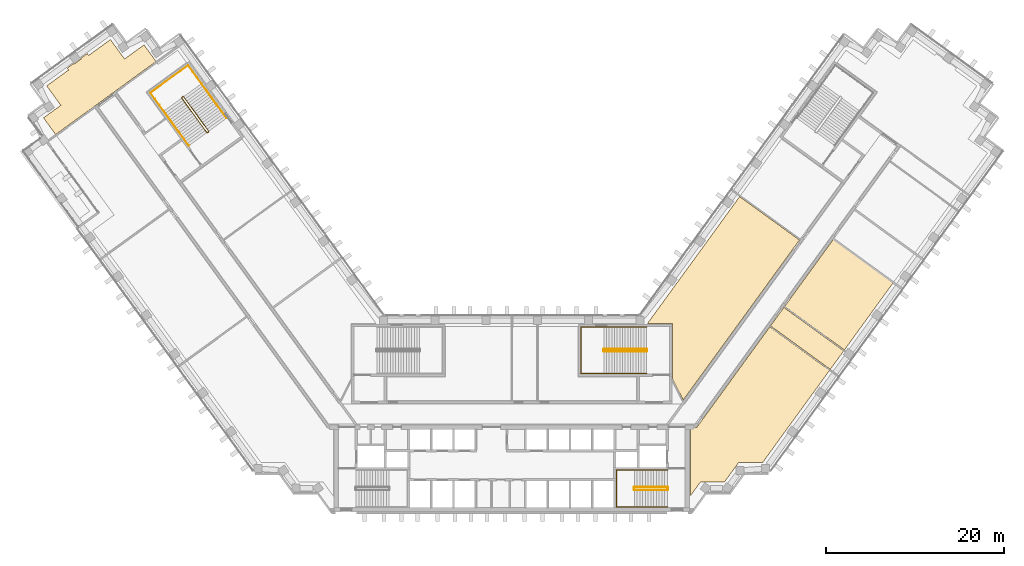
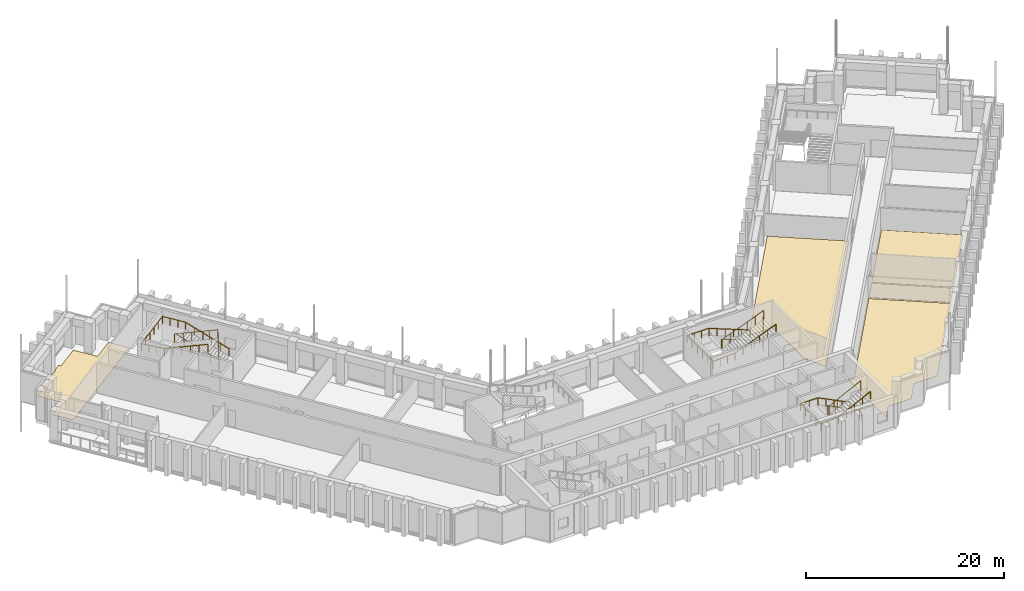
# One storey, part 18 of 19: 6 railings, 5 coverings.
"""IFC4 building model written with IfcOpenShell, lengths in metres."""

from ifc_helpers import new_model, si_unit, direction, frame, origin, origin_2d, place, context, subcontext, project, spatial, polyline, circle, outline, extrude, material, layer, layer_set, type_object, element, save


model = new_model("IFC4")

# Units and contexts
model_context = context("Model", 3, precision=1e-05, world=origin(), true_north=direction((0.0, 1.0)))
body_context = subcontext(model_context, "Body", "Model", "MODEL_VIEW")
ifc_project = project(units=[si_unit("LENGTHUNIT", "METRE"), si_unit("AREAUNIT", "SQUARE_METRE"), si_unit("VOLUMEUNIT", "CUBIC_METRE"), si_unit("PLANEANGLEUNIT", "RADIAN"), si_unit("MASSUNIT", "GRAM", prefix="KILO")], contexts=[model_context])

# Site, building, storey
site_placement = place(None, origin())
site = spatial("IfcSite", under=ifc_project, at=site_placement, CompositionType="ELEMENT")
building_placement = place(site_placement, origin())
building = spatial("IfcBuilding", under=site, at=building_placement, Name="Quipu Civic Tower", CompositionType="ELEMENT")
storey_placement = place(building_placement, frame((0.0, 0.0, 35.0)))
storey = spatial("IfcBuildingStorey", under=building, at=storey_placement, Name="L07", CompositionType="ELEMENT", Elevation=35.0)

# Coverings
ifc_material_1 = material(Name="Carpet tile on raised access floor")
ifc_layer_1 = layer(ifc_material_1, 0.02001953125)
ifc_layer_set_1 = layer_set([ifc_layer_1], Name="Carpet tile on raised access floor")
covering_type_1 = type_object("IfcCoveringType", Name="Carpet tile floor finish 20", PredefinedType="FLOORING", material=ifc_layer_set_1)
covering_1_placement = place(storey_placement, origin())
element("IfcCovering", 1, at=covering_1_placement, inside=storey, type_object=covering_type_1, Name="Carpet tile floor finish 20", PredefinedType="FLOORING", context=body_context, shape_type="SweptSolid", body=[
    extrude(outline(polyline([(20.070068359375, -9.195068359375), (20.070068359375, -1.52001953125), (20.77490234375, -1.51904296875), (29.0029296875, 9.805908203125), (35.72607421875, 4.922119140625), (28.181884765625, -5.4609375), (25.48193359375, -5.4619140625), (25.2080078125, -5.840087890625), (25.205078125, -5.841064453125), (25.200927734375, -5.843017578125), (25.197021484375, -5.844970703125), (25.193115234375, -5.847900390625), (25.18896484375, -5.85205078125), (25.18603515625, -5.85498046875), (25.18310546875, -5.85888671875), (25.179931640625, -5.863037109375), (25.177978515625, -5.867919921875), (25.177001953125, -5.8720703125), (25.175048828125, -5.876953125), (25.175048828125, -5.882080078125), (25.174072265625, -5.885986328125), (23.89501953125, -7.64599609375), (21.721923828125, -7.64599609375), (21.721923828125, -7.64599609375), (21.718017578125, -7.64306640625), (21.712890625, -7.64111328125), (21.708984375, -7.638916015625), (21.7041015625, -7.637939453125), (21.698974609375, -7.636962890625), (21.694091796875, -7.635986328125), (21.68896484375, -7.636962890625), (21.68408203125, -7.636962890625), (21.679931640625, -7.637939453125), (21.675048828125, -7.639892578125), (21.669921875, -7.64111328125), (21.666015625, -7.64404296875), (21.6630859375, -7.64599609375), (21.196044921875, -7.64599609375), (20.070068359375, -9.195068359375)])), origin(), (0.0, 0.0, 1.0), 0.02001953125),
])
covering_2_placement = place(storey_placement, origin())
element("IfcCovering", 2, at=covering_2_placement, inside=storey, type_object=covering_type_1, Name="Carpet tile floor finish 20", PredefinedType="FLOORING", context=body_context, shape_type="SweptSolid", body=[
    extrude(outline(polyline([(30.673095703125, 12.10302734375), (36.14404296875, 19.635009765625), (42.867919921875, 14.751953125), (37.39599609375, 7.218994140625), (30.673095703125, 12.10302734375)])), origin(), (0.0, 0.0, 1.0), 0.02001953125),
])
covering_3_placement = place(storey_placement, origin())
element("IfcCovering", 3, at=covering_3_placement, inside=storey, type_object=covering_type_1, Name="Carpet tile floor finish 20", PredefinedType="FLOORING", context=body_context, shape_type="SweptSolid", body=[
    extrude(outline(polyline([(-52.639892578125, 33.305908203125), (-50.698974609375, 34.717041015625), (-52.284912109375, 36.90087890625), (-49.826904296875, 38.68603515625), (-49.97900390625, 38.89697265625), (-49.259033203125, 39.4208984375), (-49.236083984375, 39.388916015625), (-49.23291015625, 39.385009765625), (-49.22900390625, 39.382080078125), (-49.22607421875, 39.3779296875), (-49.220947265625, 39.3759765625), (-49.217041015625, 39.373046875), (-49.212890625, 39.37109375), (-49.2080078125, 39.3701171875), (-49.202880859375, 39.368896484375), (-49.197998046875, 39.367919921875), (-49.193115234375, 39.367919921875), (-49.18896484375, 39.368896484375), (-49.18408203125, 39.3701171875), (-49.178955078125, 39.37109375), (-49.174072265625, 39.373046875), (-49.169921875, 39.375), (-49.166015625, 39.3779296875), (-48.43798828125, 39.906982421875), (-48.43408203125, 39.909912109375), (-48.430908203125, 39.9130859375), (-48.427001953125, 39.9169921875), (-48.425048828125, 39.9208984375), (-48.422119140625, 39.926025390625), (-48.419921875, 39.929931640625), (-48.4189453125, 39.93505859375), (-48.41796875, 39.93994140625), (-48.4169921875, 39.944091796875), (-48.4169921875, 39.948974609375), (-48.41796875, 39.9541015625), (-48.4189453125, 39.958984375), (-48.419921875, 39.964111328125), (-48.422119140625, 39.968017578125), (-48.424072265625, 39.972900390625), (-48.427001953125, 39.97705078125), (-48.449951171875, 40.008056640625), (-47.72900390625, 40.531982421875), (-47.574951171875, 40.322021484375), (-45.116943359375, 42.10791015625), (-43.531982421875, 39.925048828125), (-41.346923828125, 41.510986328125), (-39.989013671875, 39.64208984375), (-51.282958984375, 31.43701171875), (-52.639892578125, 33.305908203125)])), origin(), (0.0, 0.0, 1.0), 0.02001953125),
])
covering_4_placement = place(storey_placement, origin())
element("IfcCovering", 4, at=covering_4_placement, inside=storey, type_object=covering_type_1, Name="Carpet tile floor finish 20", PredefinedType="FLOORING", context=body_context, shape_type="SweptSolid", body=[
    extrude(outline(polyline([(15.238037109375, 10.169921875), (25.615966796875, 24.4541015625), (32.339111328125, 19.570068359375), (19.27197265625, 1.583984375), (18.070068359375, 3.94189453125), (18.070068359375, 10.1689453125), (15.238037109375, 10.169921875)])), origin(), (0.0, 0.0, 1.0), 0.02001953125),
])
ifc_material_2 = material(Name="Ceramic floor tile")
ifc_layer_2 = layer(ifc_material_2, 0.030029296875)
ifc_layer_set_2 = layer_set([ifc_layer_2], Name="Ceramic floor tile")
covering_type_2 = type_object("IfcCoveringType", Name="Ceramic tile floor finish 30", PredefinedType="FLOORING", material=ifc_layer_set_2)
covering_5_placement = place(storey_placement, origin())
element("IfcCovering", 5, at=covering_5_placement, inside=storey, type_object=covering_type_2, Name="Ceramic tile floor finish 30", PredefinedType="FLOORING", context=body_context, shape_type="SweptSolid", body=[
    extrude(outline(polyline([(29.0859375, 9.9189453125), (30.590087890625, 11.989990234375), (37.31298828125, 7.10595703125), (35.80908203125, 5.034912109375), (29.0859375, 9.9189453125)])), origin(), (0.0, 0.0, 1.0), 0.030029296875),
])

# Railings
ifc_material_3 = material(Name="Stainless steel", Category="steel")
railing_type_1 = type_object("IfcRailingType", Name="Stair guard 1100", PredefinedType="GUARDRAIL", material=ifc_material_3)
railing_1_placement = place(storey_placement, frame((17.5, -8.199951171875, 0.15380859375)))
element("IfcRailing", 6, at=railing_1_placement, inside=storey, type_object=railing_type_1, Name="Stair 2 guard", PredefinedType="GUARDRAIL", context=body_context, shape_type="SweptSolid", body=[
    extrude(circle(Radius=0.02392578125, at=origin_2d()), frame((0.0, 0.0, 1.076171875), z_axis=(-0.895751851347, 0.0, 0.444554407028), x_axis=(0.0, -1.0, 0.0)), (0.0, 0.0, 1.0), 4.15283203125),
    extrude(circle(Radius=0.02392578125, at=origin_2d()), frame((-3.719970703125, 0.0, 2.92236328125), z_axis=(-0.707106781187, -0.707106781187, 0.0), x_axis=(0.707106781187, -0.707106781187, 0.0)), (0.0, 0.0, 1.0), 0.07080078125),
    extrude(circle(Radius=0.02392578125, at=origin_2d()), frame((-3.77001953125, -0.050048828125, 2.92236328125), z_axis=(0.0, -1.0, 0.0), x_axis=(1.0, 0.0, 0.0)), (0.0, 0.0, 1.0), 0.25),
    extrude(circle(Radius=0.02392578125, at=origin_2d()), frame((-3.77001953125, -0.300048828125, 2.92236328125), z_axis=(0.295599637079, -0.295599637079, 0.908428152975), x_axis=(0.707106781187, 0.707106781187, 0.0)), (0.0, 0.0, 1.0), 0.16943359375),
    extrude(circle(Radius=0.02392578125, at=origin_2d()), frame((-3.719970703125, -0.35009765625, 3.076171875), z_axis=(0.895751851347, 0.0, 0.444554407028), x_axis=(0.0, 1.0, 0.0)), (0.0, 0.0, 1.0), 4.15283203125),
    extrude(circle(Radius=0.02392578125, at=origin_2d()), frame((0.0, -0.35009765625, 4.92236328125), z_axis=(0.012476181752, 0.074796231092, -0.997120789425), x_axis=(-0.986372223864, 0.164529134168, 0.0)), (0.0, 0.0, 1.0), 4.011474609375),
    extrude(circle(Radius=0.02392578125, at=origin_2d()), frame((0.050048828125, -0.050048828125, 0.92236328125), z_axis=(0.0, -1.0, 0.0), x_axis=(1.0, 0.0, 0.0)), (0.0, 0.0, 1.0), 0.25),
    extrude(circle(Radius=0.02099609375, at=origin_2d()), origin(), (0.0, 0.0, 1.0), 1.052001953125),
    extrude(circle(Radius=0.02099609375, at=origin_2d()), frame((-0.929931640625, 0.0, 0.46142578125)), (0.0, 0.0, 1.0), 1.052001953125),
    extrude(circle(Radius=0.02099609375, at=origin_2d()), frame((-1.85986328125, 0.0, 0.923095703125)), (0.0, 0.0, 1.0), 1.052001953125),
    extrude(circle(Radius=0.02099609375, at=origin_2d()), frame((-2.7900390625, 0.0, 1.384765625)), (0.0, 0.0, 1.0), 1.052001953125),
    extrude(circle(Radius=0.02099609375, at=origin_2d()), frame((-3.719970703125, 0.0, 1.84619140625)), (0.0, 0.0, 1.0), 1.052001953125),
    extrude(circle(Radius=0.02099609375, at=origin_2d()), frame((-3.77001953125, -0.050048828125, 1.84619140625)), (0.0, 0.0, 1.0), 1.052001953125),
    extrude(circle(Radius=0.02099609375, at=origin_2d()), frame((-3.77001953125, -0.300048828125, 1.84619140625)), (0.0, 0.0, 1.0), 1.052001953125),
    extrude(circle(Radius=0.02099609375, at=origin_2d()), frame((-3.719970703125, -0.35009765625, 2.0)), (0.0, 0.0, 1.0), 1.052001953125),
    extrude(circle(Radius=0.02099609375, at=origin_2d()), frame((-2.7900390625, -0.35009765625, 2.46142578125)), (0.0, 0.0, 1.0), 1.052001953125),
    extrude(circle(Radius=0.02099609375, at=origin_2d()), frame((-1.85986328125, -0.35009765625, 2.923095703125)), (0.0, 0.0, 1.0), 1.052001953125),
    extrude(circle(Radius=0.02099609375, at=origin_2d()), frame((-0.929931640625, -0.35009765625, 3.384765625)), (0.0, 0.0, 1.0), 1.052001953125),
    extrude(circle(Radius=0.02099609375, at=origin_2d()), frame((0.0, -0.35009765625, 3.84619140625)), (0.0, 0.0, 1.0), 1.052001953125),
    extrude(circle(Radius=0.02099609375, at=origin_2d()), frame((0.012451171875, -0.275146484375, 2.84619140625)), (0.0, 0.0, 1.0), 1.052001953125),
    extrude(circle(Radius=0.02099609375, at=origin_2d()), frame((0.02490234375, -0.2001953125, 1.84619140625)), (0.0, 0.0, 1.0), 1.052001953125),
    extrude(circle(Radius=0.02099609375, at=origin_2d()), frame((0.03759765625, -0.125, 0.84619140625)), (0.0, 0.0, 1.0), 1.052001953125),
    extrude(circle(Radius=0.02099609375, at=origin_2d()), frame((0.050048828125, -0.050048828125, -0.15380859375)), (0.0, 0.0, 1.0), 1.052001953125),
    extrude(circle(Radius=0.02099609375, at=origin_2d()), frame((0.050048828125, -0.300048828125, -0.15380859375)), (0.0, 0.0, 1.0), 1.052001953125),
])
railing_2_placement = place(storey_placement, frame((15.14990234375, 7.300048828125, 0.11767578125)))
element("IfcRailing", 7, at=railing_2_placement, inside=storey, type_object=railing_type_1, Name="Stair 4 guard", PredefinedType="GUARDRAIL", context=body_context, shape_type="SweptSolid", body=[
    extrude(circle(Radius=0.02392578125, at=origin_2d()), frame((0.0, 0.0, 1.076171875), z_axis=(-0.930970042603, 0.0, 0.365095576219), x_axis=(0.0, -1.0, 0.0)), (0.0, 0.0, 1.0), 5.15576171875),
    extrude(circle(Radius=0.02392578125, at=origin_2d()), frame((-4.7998046875, 0.0, 2.95849609375), z_axis=(-0.707106781187, -0.707106781187, 0.0), x_axis=(0.707106781187, -0.707106781187, 0.0)), (0.0, 0.0, 1.0), 0.07080078125),
    extrude(circle(Radius=0.02392578125, at=origin_2d()), frame((-4.849853515625, -0.050048828125, 2.95849609375), z_axis=(0.0, -1.0, 0.0), x_axis=(1.0, 0.0, 0.0)), (0.0, 0.0, 1.0), 0.14990234375),
    extrude(circle(Radius=0.02392578125, at=origin_2d()), frame((-4.849853515625, -0.199951171875, 2.95849609375), z_axis=(0.364463019033, -0.364463019033, 0.856932561824), x_axis=(0.707106781187, 0.707106781187, 0.0)), (0.0, 0.0, 1.0), 0.13720703125),
    extrude(circle(Radius=0.02392578125, at=origin_2d()), frame((-4.7998046875, -0.25, 3.076171875), z_axis=(0.930970042603, 0.0, 0.365095576219), x_axis=(0.0, 1.0, 0.0)), (0.0, 0.0, 1.0), 5.15576171875),
    extrude(circle(Radius=0.02392578125, at=origin_2d()), frame((0.0, -0.25, 4.95849609375), z_axis=(0.012495627992, 0.049921557685, -0.998674970829), x_axis=(-0.970072785993, 0.242814311512, 0.0)), (0.0, 0.0, 1.0), 4.00537109375),
    extrude(circle(Radius=0.02392578125, at=origin_2d()), frame((0.050048828125, -0.050048828125, 0.95849609375), z_axis=(0.0, -1.0, 0.0), x_axis=(1.0, 0.0, 0.0)), (0.0, 0.0, 1.0), 0.14990234375),
    extrude(circle(Radius=0.02099609375, at=origin_2d()), origin(), (0.0, 0.0, 1.0), 1.052001953125),
    extrude(circle(Radius=0.02099609375, at=origin_2d()), frame((-0.9599609375, 0.0, 0.37646484375)), (0.0, 0.0, 1.0), 1.052001953125),
    extrude(circle(Radius=0.02099609375, at=origin_2d()), frame((-1.919921875, 0.0, 0.7529296875)), (0.0, 0.0, 1.0), 1.052001953125),
    extrude(circle(Radius=0.02099609375, at=origin_2d()), frame((-2.8798828125, 0.0, 1.12939453125)), (0.0, 0.0, 1.0), 1.052001953125),
    extrude(circle(Radius=0.02099609375, at=origin_2d()), frame((-3.83984375, 0.0, 1.505859375)), (0.0, 0.0, 1.0), 1.052001953125),
    extrude(circle(Radius=0.02099609375, at=origin_2d()), frame((-4.7998046875, 0.0, 1.88232421875)), (0.0, 0.0, 1.0), 1.052001953125),
    extrude(circle(Radius=0.02099609375, at=origin_2d()), frame((-4.849853515625, -0.050048828125, 1.88232421875)), (0.0, 0.0, 1.0), 1.052001953125),
    extrude(circle(Radius=0.02099609375, at=origin_2d()), frame((-4.849853515625, -0.199951171875, 1.88232421875)), (0.0, 0.0, 1.0), 1.052001953125),
    extrude(circle(Radius=0.02099609375, at=origin_2d()), frame((-4.7998046875, -0.25, 2.0)), (0.0, 0.0, 1.0), 1.052001953125),
    extrude(circle(Radius=0.02099609375, at=origin_2d()), frame((-3.83984375, -0.25, 2.37646484375)), (0.0, 0.0, 1.0), 1.052001953125),
    extrude(circle(Radius=0.02099609375, at=origin_2d()), frame((-2.8798828125, -0.25, 2.7529296875)), (0.0, 0.0, 1.0), 1.052001953125),
    extrude(circle(Radius=0.02099609375, at=origin_2d()), frame((-1.919921875, -0.25, 3.12939453125)), (0.0, 0.0, 1.0), 1.052001953125),
    extrude(circle(Radius=0.02099609375, at=origin_2d()), frame((-0.9599609375, -0.25, 3.505859375)), (0.0, 0.0, 1.0), 1.052001953125),
    extrude(circle(Radius=0.02099609375, at=origin_2d()), frame((0.0, -0.25, 3.88232421875)), (0.0, 0.0, 1.0), 1.052001953125),
    extrude(circle(Radius=0.02099609375, at=origin_2d()), frame((0.012451171875, -0.199951171875, 2.88232421875)), (0.0, 0.0, 1.0), 1.052001953125),
    extrude(circle(Radius=0.02099609375, at=origin_2d()), frame((0.02490234375, -0.14990234375, 1.88232421875)), (0.0, 0.0, 1.0), 1.052001953125),
    extrude(circle(Radius=0.02099609375, at=origin_2d()), frame((0.03759765625, -0.10009765625, 0.88232421875)), (0.0, 0.0, 1.0), 1.052001953125),
    extrude(circle(Radius=0.02099609375, at=origin_2d()), frame((0.050048828125, -0.050048828125, -0.11767578125)), (0.0, 0.0, 1.0), 1.052001953125),
    extrude(circle(Radius=0.02099609375, at=origin_2d()), frame((0.050048828125, -0.199951171875, -0.11767578125)), (0.0, 0.0, 1.0), 1.052001953125),
])
railing_3_placement = place(storey_placement, frame((-34.078857421875, 31.79736328125, 0.11767578125)))
element("IfcRailing", 8, at=railing_3_placement, inside=storey, type_object=railing_type_1, Name="Stair 6 guard", PredefinedType="GUARDRAIL", context=body_context, shape_type="SweptSolid", body=[
    extrude(circle(Radius=0.02392578125, at=origin_2d()), frame((0.0, 0.0, 1.076171875), z_axis=(-0.54720100349, 0.753182689643, 0.365084781664), x_axis=(-0.809026317077, -0.587772420479, 0.0)), (0.0, 0.0, 1.0), 5.15576171875),
    extrude(circle(Radius=0.02392578125, at=origin_2d()), frame((-2.8212890625, 3.88330078125, 2.95849609375), z_axis=(-0.987846838465, 0.155430446612, 0.0), x_axis=(-0.155430446612, -0.987846838465, 0.0)), (0.0, 0.0, 1.0), 0.07080078125),
    extrude(circle(Radius=0.02392578125, at=origin_2d()), frame((-2.89111328125, 3.894287109375, 2.95849609375), z_axis=(-0.809649071907, -0.586914287065, 0.0), x_axis=(0.586914287065, -0.809649071907, 0.0)), (0.0, 0.0, 1.0), 0.150146484375),
    extrude(circle(Radius=0.02392578125, at=origin_2d()), frame((-3.0126953125, 3.80615234375, 2.95849609375), z_axis=(-0.080033047627, -0.508654480474, 0.857242865693), x_axis=(0.987846838465, -0.155430446612, 0.0)), (0.0, 0.0, 1.0), 0.13720703125),
    extrude(circle(Radius=0.02392578125, at=origin_2d()), frame((-3.023681640625, 3.736328125, 3.076171875), z_axis=(0.54720100349, -0.753182689643, 0.365084781664), x_axis=(0.809026317077, 0.587772420479, 0.0)), (0.0, 0.0, 1.0), 5.15576171875),
    extrude(circle(Radius=0.02392578125, at=origin_2d()), frame((-0.202392578125, -0.14697265625, 4.95849609375), z_axis=(0.047788004556, 0.019261491632, -0.998671768681), x_axis=(-0.373837031195, 0.92749440651, 0.0)), (0.0, 0.0, 1.0), 4.00537109375),
    extrude(circle(Radius=0.02392578125, at=origin_2d()), frame((-0.010986328125, -0.06982421875, 0.95849609375), z_axis=(-0.809087927272, -0.587687609145, 0.0), x_axis=(0.587687609145, -0.809087927272, 0.0)), (0.0, 0.0, 1.0), 0.14990234375),
    extrude(circle(Radius=0.02099609375, at=origin_2d()), origin(), (0.0, 0.0, 1.0), 1.052001953125),
    extrude(circle(Radius=0.02099609375, at=origin_2d()), frame((-0.564208984375, 0.776611328125, 0.37646484375)), (0.0, 0.0, 1.0), 1.052001953125),
    extrude(circle(Radius=0.02099609375, at=origin_2d()), frame((-1.12841796875, 1.55322265625, 0.7529296875)), (0.0, 0.0, 1.0), 1.052001953125),
    extrude(circle(Radius=0.02099609375, at=origin_2d()), frame((-1.69287109375, 2.330078125, 1.12939453125)), (0.0, 0.0, 1.0), 1.052001953125),
    extrude(circle(Radius=0.02099609375, at=origin_2d()), frame((-2.257080078125, 3.106689453125, 1.505859375)), (0.0, 0.0, 1.0), 1.052001953125),
    extrude(circle(Radius=0.02099609375, at=origin_2d()), frame((-2.8212890625, 3.88330078125, 1.88232421875)), (0.0, 0.0, 1.0), 1.052001953125),
    extrude(circle(Radius=0.02099609375, at=origin_2d()), frame((-2.89111328125, 3.894287109375, 1.88232421875)), (0.0, 0.0, 1.0), 1.052001953125),
    extrude(circle(Radius=0.02099609375, at=origin_2d()), frame((-3.0126953125, 3.80615234375, 1.88232421875)), (0.0, 0.0, 1.0), 1.052001953125),
    extrude(circle(Radius=0.02099609375, at=origin_2d()), frame((-3.023681640625, 3.736328125, 2.0)), (0.0, 0.0, 1.0), 1.052001953125),
    extrude(circle(Radius=0.02099609375, at=origin_2d()), frame((-2.45947265625, 2.959716796875, 2.37646484375)), (0.0, 0.0, 1.0), 1.052001953125),
    extrude(circle(Radius=0.02099609375, at=origin_2d()), frame((-1.895263671875, 2.18310546875, 2.7529296875)), (0.0, 0.0, 1.0), 1.052001953125),
    extrude(circle(Radius=0.02099609375, at=origin_2d()), frame((-1.330810546875, 1.40625, 3.12939453125)), (0.0, 0.0, 1.0), 1.052001953125),
    extrude(circle(Radius=0.02099609375, at=origin_2d()), frame((-0.7666015625, 0.629638671875, 3.505859375)), (0.0, 0.0, 1.0), 1.052001953125),
    extrude(circle(Radius=0.02099609375, at=origin_2d()), frame((-0.202392578125, -0.14697265625, 3.88232421875)), (0.0, 0.0, 1.0), 1.052001953125),
    extrude(circle(Radius=0.02099609375, at=origin_2d()), frame((-0.154541015625, -0.127685546875, 2.88232421875)), (0.0, 0.0, 1.0), 1.052001953125),
    extrude(circle(Radius=0.02099609375, at=origin_2d()), frame((-0.106689453125, -0.1083984375, 1.88232421875)), (0.0, 0.0, 1.0), 1.052001953125),
    extrude(circle(Radius=0.02099609375, at=origin_2d()), frame((-0.058837890625, -0.089111328125, 0.88232421875)), (0.0, 0.0, 1.0), 1.052001953125),
    extrude(circle(Radius=0.02099609375, at=origin_2d()), frame((-0.010986328125, -0.06982421875, -0.11767578125)), (0.0, 0.0, 1.0), 1.052001953125),
    extrude(circle(Radius=0.02099609375, at=origin_2d()), frame((-0.13232421875, -0.157958984375, -0.11767578125)), (0.0, 0.0, 1.0), 1.052001953125),
])
ifc_material_4 = material(Name="Stainless steel", Category="steel")
railing_type_2 = type_object("IfcRailingType", Name="Stair handrail", PredefinedType="HANDRAIL", material=ifc_material_4)
railing_4_placement = place(storey_placement, frame((17.5, -6.300048828125, 0.15380859375)))
element("IfcRailing", 9, at=railing_4_placement, inside=storey, type_object=railing_type_2, Name="Stair 2 handrail", PredefinedType="HANDRAIL", context=body_context, shape_type="SweptSolid", body=[
    extrude(circle(Radius=0.02392578125, at=origin_2d()), frame((0.0, 0.0, 0.8759765625), z_axis=(-0.895751851347, 0.0, 0.444554407028), x_axis=(0.0, -1.0, 0.0)), (0.0, 0.0, 1.0), 4.15283203125),
    extrude(circle(Radius=0.02392578125, at=origin_2d()), frame((-3.719970703125, 0.0, 2.72216796875), z_axis=(-1.0, 0.0, 0.0), x_axis=(0.0, -1.0, 0.0)), (0.0, 0.0, 1.0), 2.030029296875),
    extrude(circle(Radius=0.02392578125, at=origin_2d()), frame((-5.75, 0.0, 2.72216796875), z_axis=(0.0, -1.0, 0.0), x_axis=(1.0, 0.0, 0.0)), (0.0, 0.0, 1.0), 4.14990234375),
    extrude(circle(Radius=0.02392578125, at=origin_2d()), frame((-5.75, -4.14990234375, 2.72216796875), z_axis=(0.997142003663, 0.0, 0.075550145798), x_axis=(0.0, 1.0, 0.0)), (0.0, 0.0, 1.0), 2.035888671875),
    extrude(circle(Radius=0.02392578125, at=origin_2d()), frame((-3.719970703125, -4.14990234375, 2.8759765625), z_axis=(0.895751851347, 0.0, 0.444554407028), x_axis=(0.0, 1.0, 0.0)), (0.0, 0.0, 1.0), 4.15283203125),
    extrude(circle(Radius=0.02099609375, at=origin_2d()), origin(), (0.0, 0.0, 1.0), 0.851806640625),
    extrude(circle(Radius=0.02099609375, at=origin_2d()), frame((-0.929931640625, 0.0, 0.46142578125)), (0.0, 0.0, 1.0), 0.851806640625),
    extrude(circle(Radius=0.02099609375, at=origin_2d()), frame((-1.85986328125, 0.0, 0.923095703125)), (0.0, 0.0, 1.0), 0.851806640625),
    extrude(circle(Radius=0.02099609375, at=origin_2d()), frame((-2.7900390625, 0.0, 1.384765625)), (0.0, 0.0, 1.0), 0.851806640625),
    extrude(circle(Radius=0.02099609375, at=origin_2d()), frame((-3.719970703125, 0.0, 1.84619140625)), (0.0, 0.0, 1.0), 0.851806640625),
    extrude(circle(Radius=0.02099609375, at=origin_2d()), frame((-4.73486328125, 0.0, 1.84619140625)), (0.0, 0.0, 1.0), 0.851806640625),
    extrude(circle(Radius=0.02099609375, at=origin_2d()), frame((-5.75, 0.0, 1.84619140625)), (0.0, 0.0, 1.0), 0.851806640625),
    extrude(circle(Radius=0.02099609375, at=origin_2d()), frame((-5.75, -1.03759765625, 1.84619140625)), (0.0, 0.0, 1.0), 0.851806640625),
    extrude(circle(Radius=0.02099609375, at=origin_2d()), frame((-5.75, -2.074951171875, 1.84619140625)), (0.0, 0.0, 1.0), 0.851806640625),
    extrude(circle(Radius=0.02099609375, at=origin_2d()), frame((-5.75, -3.1123046875, 1.84619140625)), (0.0, 0.0, 1.0), 0.851806640625),
    extrude(circle(Radius=0.02099609375, at=origin_2d()), frame((-5.75, -4.14990234375, 1.84619140625)), (0.0, 0.0, 1.0), 0.851806640625),
    extrude(circle(Radius=0.02099609375, at=origin_2d()), frame((-4.73486328125, -4.14990234375, 1.923095703125)), (0.0, 0.0, 1.0), 0.851806640625),
    extrude(circle(Radius=0.02099609375, at=origin_2d()), frame((-3.719970703125, -4.14990234375, 2.0)), (0.0, 0.0, 1.0), 0.851806640625),
    extrude(circle(Radius=0.02099609375, at=origin_2d()), frame((-2.7900390625, -4.14990234375, 2.46142578125)), (0.0, 0.0, 1.0), 0.851806640625),
    extrude(circle(Radius=0.02099609375, at=origin_2d()), frame((-1.85986328125, -4.14990234375, 2.923095703125)), (0.0, 0.0, 1.0), 0.851806640625),
    extrude(circle(Radius=0.02099609375, at=origin_2d()), frame((-0.929931640625, -4.14990234375, 3.384765625)), (0.0, 0.0, 1.0), 0.851806640625),
    extrude(circle(Radius=0.02099609375, at=origin_2d()), frame((0.0, -4.14990234375, 3.84619140625)), (0.0, 0.0, 1.0), 0.851806640625),
])
railing_5_placement = place(storey_placement, frame((15.14990234375, 9.800048828125, 0.11767578125)))
element("IfcRailing", 10, at=railing_5_placement, inside=storey, type_object=railing_type_2, Name="Stair 4 handrail", PredefinedType="HANDRAIL", context=body_context, shape_type="SweptSolid", body=[
    extrude(circle(Radius=0.02392578125, at=origin_2d()), frame((0.0, 0.0, 0.8759765625), z_axis=(-0.930970042603, 0.0, 0.365095576219), x_axis=(0.0, -1.0, 0.0)), (0.0, 0.0, 1.0), 5.15576171875),
    extrude(circle(Radius=0.02392578125, at=origin_2d()), frame((-4.7998046875, 0.0, 2.75830078125), z_axis=(-1.0, 0.0, 0.0), x_axis=(0.0, -1.0, 0.0)), (0.0, 0.0, 1.0), 2.550048828125),
    extrude(circle(Radius=0.02392578125, at=origin_2d()), frame((-7.349853515625, 0.0, 2.75830078125), z_axis=(0.0, -1.0, 0.0), x_axis=(1.0, 0.0, 0.0)), (0.0, 0.0, 1.0), 5.25),
    extrude(circle(Radius=0.02392578125, at=origin_2d()), frame((-7.349853515625, -5.25, 2.75830078125), z_axis=(0.998936948642, 0.0, 0.04609742549), x_axis=(0.0, 1.0, 0.0)), (0.0, 0.0, 1.0), 2.552734375),
    extrude(circle(Radius=0.02392578125, at=origin_2d()), frame((-4.7998046875, -5.25, 2.8759765625), z_axis=(0.930970042603, 0.0, 0.365095576219), x_axis=(0.0, 1.0, 0.0)), (0.0, 0.0, 1.0), 5.15576171875),
    extrude(circle(Radius=0.02099609375, at=origin_2d()), origin(), (0.0, 0.0, 1.0), 0.851806640625),
    extrude(circle(Radius=0.02099609375, at=origin_2d()), frame((-0.9599609375, 0.0, 0.37646484375)), (0.0, 0.0, 1.0), 0.851806640625),
    extrude(circle(Radius=0.02099609375, at=origin_2d()), frame((-1.919921875, 0.0, 0.7529296875)), (0.0, 0.0, 1.0), 0.851806640625),
    extrude(circle(Radius=0.02099609375, at=origin_2d()), frame((-2.8798828125, 0.0, 1.12939453125)), (0.0, 0.0, 1.0), 0.851806640625),
    extrude(circle(Radius=0.02099609375, at=origin_2d()), frame((-3.83984375, 0.0, 1.505859375)), (0.0, 0.0, 1.0), 0.851806640625),
    extrude(circle(Radius=0.02099609375, at=origin_2d()), frame((-4.7998046875, 0.0, 1.88232421875)), (0.0, 0.0, 1.0), 0.851806640625),
    extrude(circle(Radius=0.02099609375, at=origin_2d()), frame((-5.64990234375, 0.0, 1.88232421875)), (0.0, 0.0, 1.0), 0.851806640625),
    extrude(circle(Radius=0.02099609375, at=origin_2d()), frame((-6.499755859375, 0.0, 1.88232421875)), (0.0, 0.0, 1.0), 0.851806640625),
    extrude(circle(Radius=0.02099609375, at=origin_2d()), frame((-7.349853515625, 0.0, 1.88232421875)), (0.0, 0.0, 1.0), 0.851806640625),
    extrude(circle(Radius=0.02099609375, at=origin_2d()), frame((-7.349853515625, -1.050048828125, 1.88232421875)), (0.0, 0.0, 1.0), 0.851806640625),
    extrude(circle(Radius=0.02099609375, at=origin_2d()), frame((-7.349853515625, -2.10009765625, 1.88232421875)), (0.0, 0.0, 1.0), 0.851806640625),
    extrude(circle(Radius=0.02099609375, at=origin_2d()), frame((-7.349853515625, -3.14990234375, 1.88232421875)), (0.0, 0.0, 1.0), 0.851806640625),
    extrude(circle(Radius=0.02099609375, at=origin_2d()), frame((-7.349853515625, -4.199951171875, 1.88232421875)), (0.0, 0.0, 1.0), 0.851806640625),
    extrude(circle(Radius=0.02099609375, at=origin_2d()), frame((-7.349853515625, -5.25, 1.88232421875)), (0.0, 0.0, 1.0), 0.851806640625),
    extrude(circle(Radius=0.02099609375, at=origin_2d()), frame((-6.499755859375, -5.25, 1.921630859375)), (0.0, 0.0, 1.0), 0.851806640625),
    extrude(circle(Radius=0.02099609375, at=origin_2d()), frame((-5.64990234375, -5.25, 1.960693359375)), (0.0, 0.0, 1.0), 0.851806640625),
    extrude(circle(Radius=0.02099609375, at=origin_2d()), frame((-4.7998046875, -5.25, 2.0)), (0.0, 0.0, 1.0), 0.851806640625),
    extrude(circle(Radius=0.02099609375, at=origin_2d()), frame((-3.83984375, -5.25, 2.37646484375)), (0.0, 0.0, 1.0), 0.851806640625),
    extrude(circle(Radius=0.02099609375, at=origin_2d()), frame((-2.8798828125, -5.25, 2.7529296875)), (0.0, 0.0, 1.0), 0.851806640625),
    extrude(circle(Radius=0.02099609375, at=origin_2d()), frame((-1.919921875, -5.25, 3.12939453125)), (0.0, 0.0, 1.0), 0.851806640625),
    extrude(circle(Radius=0.02099609375, at=origin_2d()), frame((-0.9599609375, -5.25, 3.505859375)), (0.0, 0.0, 1.0), 0.851806640625),
    extrude(circle(Radius=0.02099609375, at=origin_2d()), frame((0.0, -5.25, 3.88232421875)), (0.0, 0.0, 1.0), 0.851806640625),
])
railing_6_placement = place(storey_placement, frame((-32.056396484375, 33.266845703125, 0.11767578125)))
element("IfcRailing", 11, at=railing_6_placement, inside=storey, type_object=railing_type_2, Name="Stair 6 handrail", PredefinedType="HANDRAIL", context=body_context, shape_type="SweptSolid", body=[
    extrude(circle(Radius=0.02392578125, at=origin_2d()), frame((0.0, 0.0, 0.8759765625), z_axis=(-0.54720100349, 0.753182689643, 0.365084781664), x_axis=(-0.809026317077, -0.587772420479, 0.0)), (0.0, 0.0, 1.0), 5.15576171875),
    extrude(circle(Radius=0.02392578125, at=origin_2d()), frame((-2.8212890625, 3.88330078125, 2.75830078125), z_axis=(-0.587767432704, 0.809029940764, 0.0), x_axis=(-0.809029940764, -0.587767432704, 0.0)), (0.0, 0.0, 1.0), 2.550048828125),
    extrude(circle(Radius=0.02392578125, at=origin_2d()), frame((-4.320068359375, 5.9462890625, 2.75830078125), z_axis=(-0.809009483706, -0.587795589702, 0.0), x_axis=(0.587795589702, -0.809009483706, 0.0)), (0.0, 0.0, 1.0), 5.25),
    extrude(circle(Radius=0.02392578125, at=origin_2d()), frame((-8.5673828125, 2.8603515625, 2.75830078125), z_axis=(0.587142558822, -0.808169835812, 0.046099155132), x_axis=(0.809029940764, 0.587767432704, 0.0)), (0.0, 0.0, 1.0), 2.552734375),
    extrude(circle(Radius=0.02392578125, at=origin_2d()), frame((-7.068603515625, 0.79736328125, 2.8759765625), z_axis=(0.54720100349, -0.753182689643, 0.365084781664), x_axis=(0.809026317077, 0.587772420479, 0.0)), (0.0, 0.0, 1.0), 5.15576171875),
    extrude(circle(Radius=0.02099609375, at=origin_2d()), origin(), (0.0, 0.0, 1.0), 0.851806640625),
    extrude(circle(Radius=0.02099609375, at=origin_2d()), frame((-0.564208984375, 0.776611328125, 0.37646484375)), (0.0, 0.0, 1.0), 0.851806640625),
    extrude(circle(Radius=0.02099609375, at=origin_2d()), frame((-1.12841796875, 1.55322265625, 0.7529296875)), (0.0, 0.0, 1.0), 0.851806640625),
    extrude(circle(Radius=0.02099609375, at=origin_2d()), frame((-1.69287109375, 2.330078125, 1.12939453125)), (0.0, 0.0, 1.0), 0.851806640625),
    extrude(circle(Radius=0.02099609375, at=origin_2d()), frame((-2.257080078125, 3.106689453125, 1.505859375)), (0.0, 0.0, 1.0), 0.851806640625),
    extrude(circle(Radius=0.02099609375, at=origin_2d()), frame((-2.8212890625, 3.88330078125, 1.88232421875)), (0.0, 0.0, 1.0), 0.851806640625),
    extrude(circle(Radius=0.02099609375, at=origin_2d()), frame((-3.32080078125, 4.571044921875, 1.88232421875)), (0.0, 0.0, 1.0), 0.851806640625),
    extrude(circle(Radius=0.02099609375, at=origin_2d()), frame((-3.820556640625, 5.258544921875, 1.88232421875)), (0.0, 0.0, 1.0), 0.851806640625),
    extrude(circle(Radius=0.02099609375, at=origin_2d()), frame((-4.320068359375, 5.9462890625, 1.88232421875)), (0.0, 0.0, 1.0), 0.851806640625),
    extrude(circle(Radius=0.02099609375, at=origin_2d()), frame((-5.16943359375, 5.3291015625, 1.88232421875)), (0.0, 0.0, 1.0), 0.851806640625),
    extrude(circle(Radius=0.02099609375, at=origin_2d()), frame((-6.01904296875, 4.7119140625, 1.88232421875)), (0.0, 0.0, 1.0), 0.851806640625),
    extrude(circle(Radius=0.02099609375, at=origin_2d()), frame((-6.868408203125, 4.0947265625, 1.88232421875)), (0.0, 0.0, 1.0), 0.851806640625),
    extrude(circle(Radius=0.02099609375, at=origin_2d()), frame((-7.718017578125, 3.4775390625, 1.88232421875)), (0.0, 0.0, 1.0), 0.851806640625),
    extrude(circle(Radius=0.02099609375, at=origin_2d()), frame((-8.5673828125, 2.8603515625, 1.88232421875)), (0.0, 0.0, 1.0), 0.851806640625),
    extrude(circle(Radius=0.02099609375, at=origin_2d()), frame((-8.06787109375, 2.172607421875, 1.921630859375)), (0.0, 0.0, 1.0), 0.851806640625),
    extrude(circle(Radius=0.02099609375, at=origin_2d()), frame((-7.568115234375, 1.485107421875, 1.960693359375)), (0.0, 0.0, 1.0), 0.851806640625),
    extrude(circle(Radius=0.02099609375, at=origin_2d()), frame((-7.068603515625, 0.79736328125, 2.0)), (0.0, 0.0, 1.0), 0.851806640625),
    extrude(circle(Radius=0.02099609375, at=origin_2d()), frame((-6.50439453125, 0.020751953125, 2.37646484375)), (0.0, 0.0, 1.0), 0.851806640625),
    extrude(circle(Radius=0.02099609375, at=origin_2d()), frame((-5.940185546875, -0.755859375, 2.7529296875)), (0.0, 0.0, 1.0), 0.851806640625),
    extrude(circle(Radius=0.02099609375, at=origin_2d()), frame((-5.375732421875, -1.53271484375, 3.12939453125)), (0.0, 0.0, 1.0), 0.851806640625),
    extrude(circle(Radius=0.02099609375, at=origin_2d()), frame((-4.8115234375, -2.309326171875, 3.505859375)), (0.0, 0.0, 1.0), 0.851806640625),
    extrude(circle(Radius=0.02099609375, at=origin_2d()), frame((-4.247314453125, -3.0859375, 3.88232421875)), (0.0, 0.0, 1.0), 0.851806640625),
])

save(model, "model.ifc")
